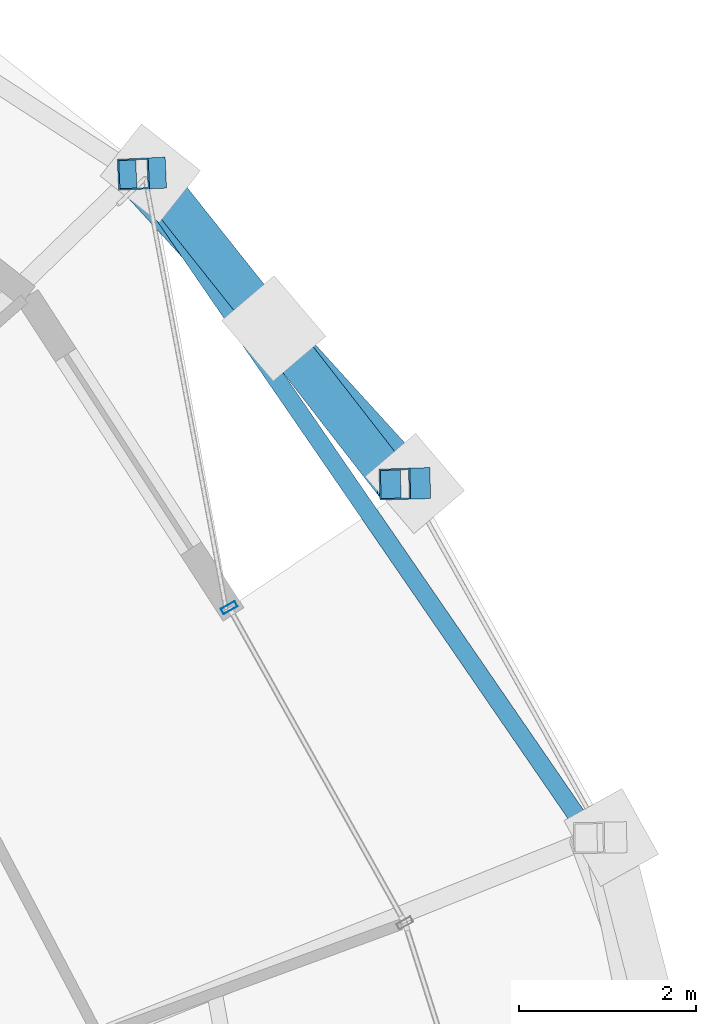
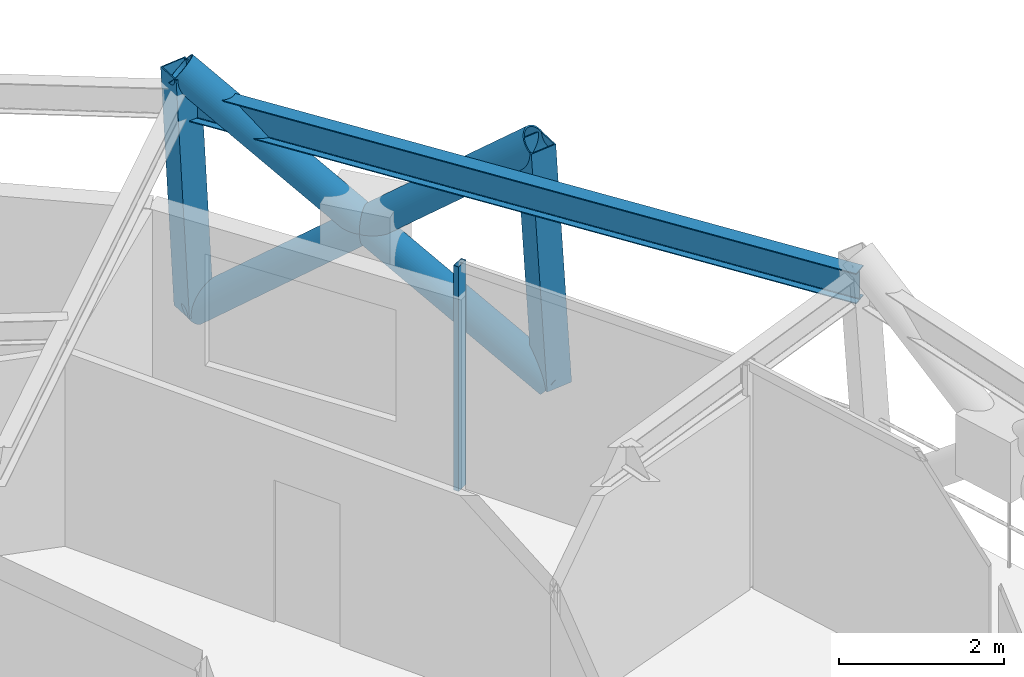
# One storey, part 9 of 17: 6 members, 1 beam, 1 element without a shape of its own.
"""IFC4 building model written with IfcOpenShell, lengths in metres."""

from ifc_helpers import new_model, si_unit, direction, frame, origin, origin_2d, place, context, subcontext, project, spatial, hollow_rectangle, hollow_circle, i_section, extrude, material, layer, layer_set, material_profile, profile_set, type_object, element, aggregate, save


model = new_model("IFC4")

# Units and contexts
model_context = context("Model", 3, precision=1e-05, world=origin(), true_north=direction((0.0, 1.0)))
body_context = subcontext(model_context, "Body", "Model", "MODEL_VIEW")
ifc_project = project(units=[si_unit("LENGTHUNIT", "METRE"), si_unit("AREAUNIT", "SQUARE_METRE"), si_unit("VOLUMEUNIT", "CUBIC_METRE"), si_unit("PLANEANGLEUNIT", "RADIAN"), si_unit("MASSUNIT", "GRAM", prefix="KILO")], contexts=[model_context])

# Site, building, storey
site_placement = place(None, origin())
site = spatial("IfcSite", under=ifc_project, at=site_placement, CompositionType="ELEMENT")
building_placement = place(site_placement, origin())
building = spatial("IfcBuilding", under=site, at=building_placement, Name="Veldorina Hangang Commons", CompositionType="ELEMENT")
storey_placement = place(building_placement, frame((0.0, 0.0, 236.39990234375)))
storey = spatial("IfcBuildingStorey", under=building, at=storey_placement, Name="L61", CompositionType="ELEMENT", Elevation=236.39990234375)

# Beam
ifc_material_1 = material(Name="Steel SM355-TMC", Category="steel")
ifc_material_profile_1 = material_profile(ifc_material_1, i_section(OverallWidth=0.199951171875, OverallDepth=0.449951171875, WebThickness=0.009033203125, FlangeThickness=0.013916015625, FilletRadius=0.01611328125, at=origin_2d()), Name="H-450x200x9x14")
ifc_profile_set_1 = profile_set([ifc_material_profile_1], Name="Steel SM355-TMC")
beam_type = type_object("IfcBeamType", Name="BM-RB450", PredefinedType="BEAM", material=ifc_profile_set_1)
beam_placement = place(storey_placement, frame((53.95166015625, 32.83837890625, 3.135009765625), z_axis=(-0.566485517873, 0.824071694721, 0.0), x_axis=(-0.824071694721, -0.566485517873, 0.0)))
element("IfcBeam", 1, at=beam_placement, inside=storey, type_object=beam_type, Name="L61 perimeter hoop ring beam 02", PredefinedType="BEAM", context=body_context, shape_type="SweptSolid", body=[
    extrude(i_section(OverallWidth=0.199951171875, OverallDepth=0.449951171875, WebThickness=0.009033203125, FlangeThickness=0.013916015625, FilletRadius=0.01611328125, at=origin_2d()), origin(), (0.0, 0.0, 1.0), 9.09228515625),
])

# Curtain wall, member
ifc_material_2 = material(Name="Glass Low-E Selective", Category="glass")
ifc_layer = layer(ifc_material_2, 0.179931640625)
ifc_layer_set = layer_set([ifc_layer], Name="Glass Low-E Selective")
curtain_wall_type = type_object("IfcCurtainWallType", Name="CW-SYS-Z3", PredefinedType="NOTDEFINED", material=ifc_layer_set)
curtain_wall_placement = place(storey_placement, origin())
curtain_wall = element("IfcCurtainWall", 2, at=curtain_wall_placement, inside=storey, type_object=curtain_wall_type, Name="L61 unitised curtain wall CW-L61-R2", PredefinedType="NOTDEFINED")
ifc_material_3 = material(Name="Aluminium Anodized AA6063-T6", Category="aluminium")
ifc_material_profile_2 = material_profile(ifc_material_3, hollow_rectangle(XDim=0.070068359375, YDim=0.179931640625, WallThickness=0.00390625, at=origin_2d()), Name="ALU-RHS-180x70x4")
ifc_profile_set_2 = profile_set([ifc_material_profile_2], Name="Aluminium Anodized AA6063-T6")
member_type_1 = type_object("IfcMemberType", Name="CW-MUL-180", PredefinedType="MULLION", material=ifc_profile_set_2)
member_1_placement = place(storey_placement, frame((49.85693359375, 35.43701171875, 0.0), z_axis=(0.0, 0.0, 1.0), x_axis=(0.487021489454, -0.873389986667, 0.0)))
member_1 = element("IfcMember", 3, at=member_1_placement, type_object=member_type_1, Name="CW-L61-R2 vertical mullion 4", PredefinedType="MULLION", context=body_context, shape_type="SweptSolid", body=[
    extrude(hollow_rectangle(XDim=0.070068359375, YDim=0.179931640625, WallThickness=0.00390625, at=origin_2d()), origin(), (0.0, 0.0, 1.0), 3.320068359375),
])
aggregate(curtain_wall, [member_1])

# Members
ifc_material_profile_3 = material_profile(ifc_material_1, hollow_circle(Radius=0.22509765625, WallThickness=0.02197265625, at=origin_2d()), Name="CHS-450x22")
ifc_profile_set_3 = profile_set([ifc_material_profile_3], Name="Steel SM355-TMC")
member_type_2 = type_object("IfcMemberType", Name="DG-CHS450", PredefinedType="BRACE", material=ifc_profile_set_3)
member_2_placement = place(storey_placement, frame((51.9521484375, 36.837158203125, 0.0), z_axis=(-0.534935436165, 0.588313833777, 0.606408205849), x_axis=(-0.739874545098, -0.672744868071, 0.0)))
element("IfcMember", 4, at=member_2_placement, inside=storey, type_object=member_type_2, Name="L61 continuous perimeter diagrid brace 03", PredefinedType="BRACE", context=body_context, shape_type="SweptSolid", body=[
    extrude(hollow_circle(Radius=0.22509765625, WallThickness=0.02197265625, at=origin_2d()), origin(), (0.0, 0.0, 1.0), 5.936767578125),
])
member_3_placement = place(storey_placement, frame((48.968017578125, 40.33837890625, 0.0), z_axis=(0.484463746815, -0.609083826874, 0.627942489296), x_axis=(0.782622808212, 0.622496216909, 0.0)))
element("IfcMember", 5, at=member_3_placement, inside=storey, type_object=member_type_2, Name="L61 split perimeter diagrid lower brace 04", PredefinedType="BRACE", context=body_context, shape_type="SweptSolid", body=[
    extrude(hollow_circle(Radius=0.22509765625, WallThickness=0.02197265625, at=origin_2d()), origin(), (0.0, 0.0, 1.0), 2.8740234375),
])
member_4_placement = place(storey_placement, frame((50.3603515625, 38.587890625, 1.8046875), z_axis=(0.477777300579, -0.614528995331, 0.627760276658), x_axis=(0.789470302339, 0.613788759855, 0.0)))
element("IfcMember", 6, at=member_4_placement, inside=storey, type_object=member_type_2, Name="L61 split perimeter diagrid upper brace 04", PredefinedType="BRACE", context=body_context, shape_type="SweptSolid", body=[
    extrude(hollow_circle(Radius=0.22509765625, WallThickness=0.02197265625, at=origin_2d()), origin(), (0.0, 0.0, 1.0), 2.860107421875),
])
ifc_material_profile_4 = material_profile(ifc_material_1, hollow_rectangle(XDim=0.35009765625, YDim=0.35009765625, WallThickness=0.01611328125, at=origin_2d()), Name="SHS-350x350x16")
ifc_profile_set_4 = profile_set([ifc_material_profile_4], Name="Steel SM355-TMC")
member_type_3 = type_object("IfcMemberType", Name="STR-SHS350", PredefinedType="STRUT", material=ifc_profile_set_4)
member_5_placement = place(storey_placement, frame((51.9521484375, 36.837158203125, 0.0), z_axis=(-0.062470875088, -0.001895107803, 0.99804498813), x_axis=(0.030321912441, -0.999540185098, 0.0)))
element("IfcMember", 7, at=member_5_placement, inside=storey, type_object=member_type_3, Name="L61 perimeter ring node post 03", PredefinedType="STRUT", context=body_context, shape_type="SweptSolid", body=[
    extrude(hollow_rectangle(XDim=0.35009765625, YDim=0.35009765625, WallThickness=0.01611328125, at=origin_2d()), origin(), (0.0, 0.0, 1.0), 3.607177734375),
])
member_6_placement = place(storey_placement, frame((48.968017578125, 40.33837890625, 0.0), z_axis=(-0.053159354051, -0.002370162283, 0.998583229084), x_axis=(0.044541736754, -0.99900752434, 0.0)))
element("IfcMember", 8, at=member_6_placement, inside=storey, type_object=member_type_3, Name="L61 perimeter ring node post 04", PredefinedType="STRUT", context=body_context, shape_type="SweptSolid", body=[
    extrude(hollow_rectangle(XDim=0.35009765625, YDim=0.35009765625, WallThickness=0.01611328125, at=origin_2d()), origin(), (0.0, 0.0, 1.0), 3.605224609375),
])

save(model, "model.ifc")
